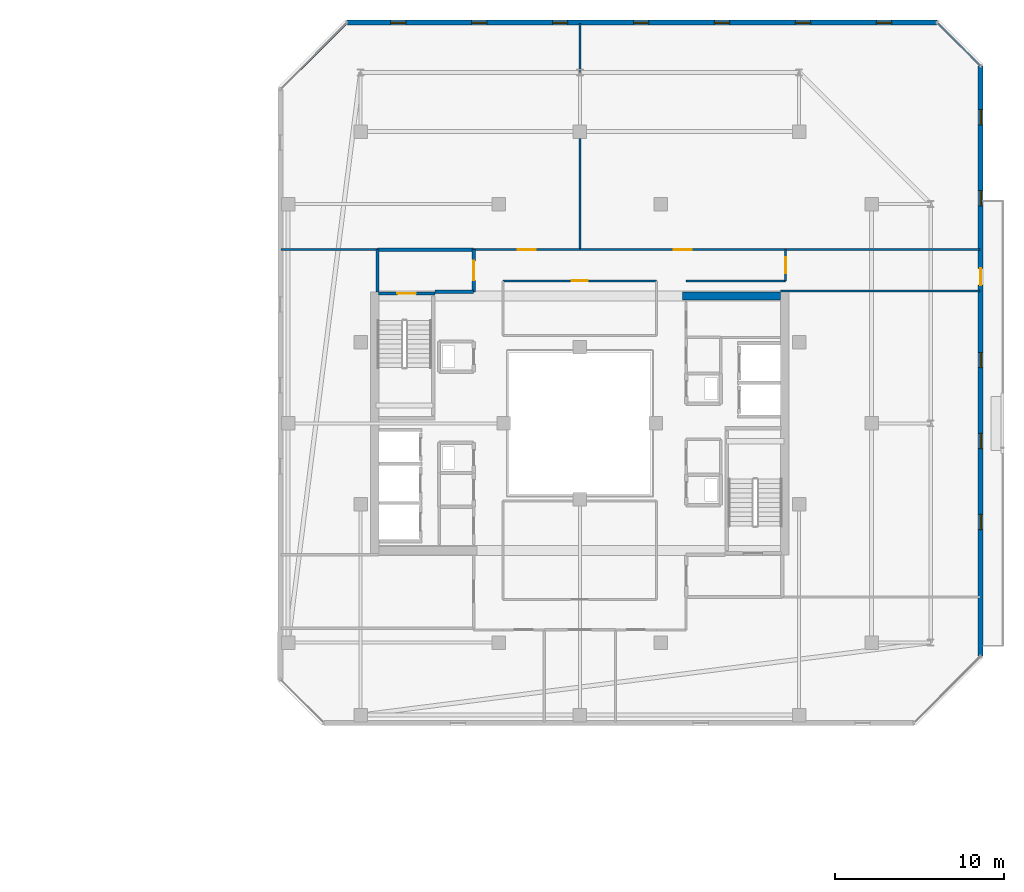
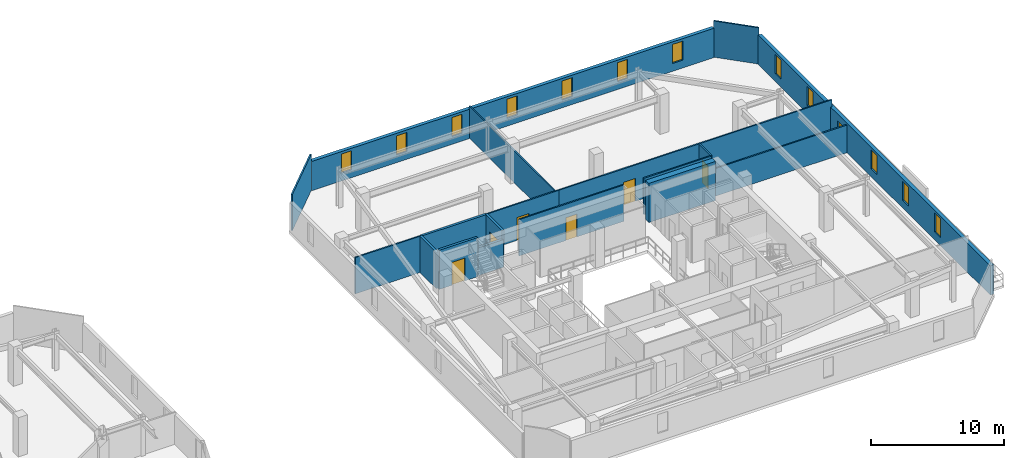
# One storey, part 27 of 34: 19 walls, 12 windows, 7 doors, 19 openings.
"""IFC4 building model written with IfcOpenShell, lengths in metres."""

import ifcopenshell
import ifcopenshell.guid

model = None  # the IFC model being written
_history = None  # IfcOwnerHistory: only IFC2X3 demands one
_inside = {}  # id of a spatial element -> (the spatial element, [elements in it])
_under = {}  # id of a project, library or spatial element -> (it, [spatial elements below it])
_declared = {}  # id of a project -> (the project, [libraries it declares])
_typed = {}  # id of a type object -> (the type object, [elements of that type])
_made_of = {}  # id of a material, layer set ... -> (it, [elements and type objects made of it])


def new_model(schema):
    """Start an empty IFC model of exactly this schema.

    Asked for "IFC4X3", IfcOpenShell would pick the latest addendum, in which some entities
    have other attributes; the version numbers below select the first issue.
    IFC2X3 requires an IfcOwnerHistory on every rooted entity: one is made here for all.
    """
    global model, _history
    if schema == "IFC4X3":
        model = ifcopenshell.file(schema_version=(4, 3, 0, 0))
    else:
        model = ifcopenshell.file(schema=schema)
    _inside.clear()
    _under.clear()
    _declared.clear()
    _typed.clear()
    _made_of.clear()
    _history = None
    if model.schema == "IFC2X3":
        org = make("IfcOrganization", Name="unknown")
        user = make(
            "IfcPersonAndOrganization",
            ThePerson=make("IfcPerson", FamilyName="unknown"),
            TheOrganization=org,
        )
        app = make(
            "IfcApplication",
            ApplicationDeveloper=org,
            Version="unknown",
            ApplicationFullName="unknown",
            ApplicationIdentifier="unknown",
        )
        _history = make(
            "IfcOwnerHistory",
            OwningUser=user,
            OwningApplication=app,
            ChangeAction="ADDED",
            CreationDate=0,
        )
    return model


def make(cls, **values):
    """One entity of the class cls with the attributes given. An attribute that is None is left unset."""
    return model.create_entity(
        cls, **{name: value for name, value in values.items() if value is not None}
    )


def rooted(cls, **values):
    """An entity with a GlobalId (a new one), such as an element, a storey or a relation."""
    return make(cls, GlobalId=ifcopenshell.guid.new(), OwnerHistory=_history, **values)


def si_unit(unit_type, name, prefix=None):
    """IfcSIUnit, for example si_unit("LENGTHUNIT", "METRE", prefix="MILLI")."""
    return make("IfcSIUnit", UnitType=unit_type, Prefix=prefix, Name=name)


def assignment(units):
    """IfcUnitAssignment: the units of a project."""
    return None if units is None else make("IfcUnitAssignment", Units=units)


def point(xyz):
    """IfcCartesianPoint."""
    return None if xyz is None else make("IfcCartesianPoint", Coordinates=xyz)


def direction(xyz):
    """IfcDirection."""
    return None if xyz is None else make("IfcDirection", DirectionRatios=xyz)


def frame(location, z_axis=None, x_axis=None):
    """IfcAxis2Placement3D, a coordinate frame: its origin and axes. An axis left out is left unset."""
    return make(
        "IfcAxis2Placement3D",
        Location=point(location),
        Axis=direction(z_axis),
        RefDirection=direction(x_axis),
    )


def frame_2d(location, x_axis=None):
    """IfcAxis2Placement2D, a coordinate frame in the plane: its origin and x axis."""
    return make(
        "IfcAxis2Placement2D", Location=point(location), RefDirection=direction(x_axis)
    )


def origin():
    """The frame at (0, 0, 0) with its axes left unset."""
    return frame((0.0, 0.0, 0.0))


def place(relative_to, where):
    """IfcLocalPlacement: puts the frame where relative to a parent placement (None: the world)."""
    return make(
        "IfcLocalPlacement", PlacementRelTo=relative_to, RelativePlacement=where
    )


def context(
    kind, dimensions, precision=None, world=None, true_north=None, identifier=None
):
    """IfcGeometricRepresentationContext, for example the 3D "Model" context."""
    return make(
        "IfcGeometricRepresentationContext",
        ContextIdentifier=identifier,
        ContextType=kind,
        CoordinateSpaceDimension=dimensions,
        Precision=precision,
        WorldCoordinateSystem=world,
        TrueNorth=true_north,
    )


def subcontext(parent, identifier, kind, view, scale=None):
    """IfcGeometricRepresentationSubContext, for example "Body" below "Model"."""
    return make(
        "IfcGeometricRepresentationSubContext",
        ContextIdentifier=identifier,
        ContextType=kind,
        ParentContext=parent,
        TargetScale=scale,
        TargetView=view,
    )


def project(units=None, contexts=None):
    """IfcProject with its units and contexts."""
    return rooted(
        "IfcProject",
        Name="project",
        RepresentationContexts=contexts,
        UnitsInContext=assignment(units),
    )


def spatial(cls, under=None, at=None, **own):
    """A site, building, storey or space (cls), placed at a placement, below another one or the project."""
    s = rooted(cls, ObjectPlacement=at, **own)
    if under is not None:
        _under.setdefault(under.id(), (under, []))[1].append(s)
    return s


def profile(cls, at=None, kind="AREA", **sizes):
    """A parametric profile (cls). Its sizes go by their IFC names, for example OverallWidth=200.0."""
    return make(cls, ProfileType=kind, Position=at, **sizes)


def rectangle(**sizes):
    """IfcRectangleProfileDef."""
    return profile("IfcRectangleProfileDef", **sizes)


def extrude(swept, where, along, depth):
    """IfcExtrudedAreaSolid: the profile swept, set in the frame where, extruded along a direction by depth."""
    return make(
        "IfcExtrudedAreaSolid",
        SweptArea=swept,
        Position=where,
        ExtrudedDirection=direction(along),
        Depth=depth,
    )


def shape(context_of_items, identifier, shape_type, items):
    """IfcShapeRepresentation: the items that make up one representation, for example the "Body"."""
    return make(
        "IfcShapeRepresentation",
        ContextOfItems=context_of_items,
        RepresentationIdentifier=identifier,
        RepresentationType=shape_type,
        Items=items,
    )


def material(Name=None, Category=None):
    """IfcMaterial."""
    return make("IfcMaterial", Name=Name, Category=Category)


def layer(
    of_material, thickness, ventilated=None, Name=None, Category=None, Priority=None
):
    """IfcMaterialLayer: one layer of a wall or slab, of a material (None: an air gap)."""
    return make(
        "IfcMaterialLayer",
        Material=of_material,
        LayerThickness=thickness,
        IsVentilated=ventilated,
        Name=Name,
        Category=Category,
        Priority=Priority,
    )


def layer_set(layers, Name=None):
    """IfcMaterialLayerSet."""
    return make("IfcMaterialLayerSet", MaterialLayers=layers, LayerSetName=Name)


def made_of(thing, what):
    """Note that an element or type object is made of a material, layer set ...; save() writes the relation."""
    if what is not None:
        _made_of.setdefault(what.id(), (what, []))[1].append(thing)
    return thing


def type_object(cls, material=None, **own):
    """A type object (cls), such as IfcWallType, which elements share."""
    return made_of(rooted(cls, **own), material)


def element(
    cls,
    number,
    at=None,
    inside=None,
    cuts=None,
    type_object=None,
    material=None,
    context=None,
    identifier="Body",
    shape_type=None,
    held_by="IfcProductDefinitionShape",
    body=None,
    shapes=None,
    **own,
):
    """One element of the class cls, such as IfcWall. Its Tag is "e" and its number.

    at: its placement. inside: the storey or other place that contains it. cuts: it is an
    opening in that element (IfcRelVoidsElement). A single representation is given by context,
    identifier, shape_type and body (its items); several are given by shapes. held_by: the class
    of the entity that holds the representations. save() writes the other relations.
    """
    e = rooted(cls, Tag="e%d" % number, ObjectPlacement=at, **own)
    if body is not None:
        shapes = [shape(context, identifier, shape_type, body)]
    if shapes is not None:
        e.Representation = make(held_by, Representations=shapes)
    if inside is not None:
        _inside.setdefault(inside.id(), (inside, []))[1].append(e)
    if cuts is not None:
        rooted(
            "IfcRelVoidsElement", RelatingBuildingElement=cuts, RelatedOpeningElement=e
        )
    if type_object is not None:
        _typed.setdefault(type_object.id(), (type_object, []))[1].append(e)
    return made_of(e, material)


def fill(opening, filler):
    """IfcRelFillsElement: the door or window that sits in an opening."""
    return rooted(
        "IfcRelFillsElement",
        RelatingOpeningElement=opening,
        RelatedBuildingElement=filler,
    )


def aggregate(whole, parts):
    """IfcRelAggregates: a whole, such as a stair, and the parts it consists of."""
    return rooted("IfcRelAggregates", RelatingObject=whole, RelatedObjects=parts)


def save(model, path):
    """Write the relations noted so far, then the file.

    IfcRelAggregates (storeys below a building ...), IfcRelContainedInSpatialStructure (elements
    in a storey), IfcRelDefinesByType, IfcRelAssociatesMaterial and IfcRelDeclares: one each for
    every whole, place, type object, material and project.
    """
    for whole, parts in _under.values():
        aggregate(whole, parts)
    for where, things in _inside.values():
        rooted(
            "IfcRelContainedInSpatialStructure",
            RelatedElements=things,
            RelatingStructure=where,
        )
    for kind, things in _typed.values():
        rooted("IfcRelDefinesByType", RelatedObjects=things, RelatingType=kind)
    for what, things in _made_of.values():
        rooted("IfcRelAssociatesMaterial", RelatedObjects=things, RelatingMaterial=what)
    for by, libraries in _declared.values():
        rooted("IfcRelDeclares", RelatingContext=by, RelatedDefinitions=libraries)
    model.write(path)


model = new_model("IFC4")

# Units and contexts
model_context = context("Model", 3, precision=1e-05, world=origin(), true_north=direction((0.0, 1.0)))
body_context = subcontext(model_context, "Body", "Model", "MODEL_VIEW")
ifc_project = project(units=[si_unit("LENGTHUNIT", "METRE"), si_unit("AREAUNIT", "SQUARE_METRE"), si_unit("VOLUMEUNIT", "CUBIC_METRE"), si_unit("PLANEANGLEUNIT", "RADIAN"), si_unit("MASSUNIT", "GRAM", prefix="KILO")], contexts=[model_context])

# Site, building, storey
site_placement = place(None, origin())
site = spatial("IfcSite", under=ifc_project, at=site_placement, CompositionType="ELEMENT")
building_placement = place(site_placement, origin())
building = spatial("IfcBuilding", under=site, at=building_placement, Name="Thornwick Lancets Civic Towers", CompositionType="ELEMENT")
storey_placement = place(building_placement, frame((0.0, 0.0, 258.300048828125)))
storey = spatial("IfcBuildingStorey", under=building, at=storey_placement, Name="L69", CompositionType="ELEMENT", Elevation=258.300048828125)

# Wall
ifc_material_1 = material(Name="Concrete blockwork C40/50", Category="masonry")
ifc_layer_1 = layer(ifc_material_1, 0.199951171875, Name="Concrete blockwork C40/50")
ifc_layer_set_1 = layer_set([ifc_layer_1], Name="Concrete blockwork C40/50")
wall_type_1 = type_object("IfcWallType", Name="WALL_COMP_200", PredefinedType="STANDARD", material=ifc_layer_set_1)
wall_1_placement = place(storey_placement, frame((79.89990234375, 34.800048828125, 0.0), z_axis=(0.0, 0.0, 1.0), x_axis=(1.0, 0.0, 0.0)))
element("IfcWall", 1, at=wall_1_placement, inside=storey, type_object=wall_type_1, Name="L69 Partition L69-B-FFLOB2 E1", PredefinedType="STANDARD", context=body_context, shape_type="SweptSolid", body=[
    extrude(rectangle(XDim=2.300048828125, YDim=0.199951171875, at=frame_2d((1.14990234375, 0.0))), origin(), (0.0, 0.0, 1.0), 2.544921875),
])

# Wall, opening, door
wall_2_placement = place(storey_placement, frame((82.199951171875, 34.800048828125, 0.0), z_axis=(0.0, 0.0, 1.0), x_axis=(0.0, 1.0, 0.0)))
wall_2 = element("IfcWall", 2, at=wall_2_placement, inside=storey, type_object=wall_type_1, Name="L69 Partition L69-B-FFLOB2 E2", PredefinedType="STANDARD", context=body_context, shape_type="SweptSolid", body=[
    extrude(rectangle(XDim=2.5, YDim=0.199951171875, at=frame_2d((1.25, 0.0))), origin(), (0.0, 0.0, 1.0), 3.33984375),
])
opening_1_placement = place(wall_2_placement, frame((0.675048828125, 0.0, 0.0)))
opening_1 = element("IfcOpeningElement", 3, at=opening_1_placement, cuts=wall_2, Name="Opening D-L69-3147", PredefinedType="OPENING", context=body_context, shape_type="SweptSolid", body=[
    extrude(rectangle(XDim=1.14990234375, YDim=2.10009765625, at=frame_2d((0.574951171875, 1.050048828125))), frame((0.0, 0.10986328125, 0.0), z_axis=(0.0, -1.0, 0.0), x_axis=(1.0, 0.0, 0.0)), (0.0, 0.0, 1.0), 0.219970703125),
])
ifc_material_2 = material(Name="Glazed fire-resisting steel", Category="steel")
door_type_1 = type_object("IfcDoorType", Name="DOOR_LOBBY_FD60", OperationType="NOTDEFINED", PredefinedType="DOOR", material=ifc_material_2)
door_1_placement = place(opening_1_placement, origin())
door_1 = element("IfcDoor", 4, at=door_1_placement, inside=storey, type_object=door_type_1, Name="L69 West Firefighting Lobby 2 Door", OperationType="SINGLE_SWING_RIGHT", OverallHeight=2.10009765625, OverallWidth=1.14990234375, PredefinedType="DOOR", context=body_context, shape_type="SweptSolid", body=[
    extrude(rectangle(XDim=1.14990234375, YDim=2.10009765625, at=frame_2d((0.574951171875, 1.050048828125))), frame((0.0, 0.02490234375, 0.0), z_axis=(0.0, -1.0, 0.0), x_axis=(1.0, 0.0, 0.0)), (0.0, 0.0, 1.0), 0.050048828125),
])
fill(opening_1, door_1)

# Walls
wall_3_placement = place(storey_placement, frame((82.199951171875, 37.300048828125, 0.0), z_axis=(0.0, 0.0, 1.0), x_axis=(-1.0, 0.0, 0.0)))
element("IfcWall", 5, at=wall_3_placement, inside=storey, type_object=wall_type_1, Name="L69 Partition L69-B-FFLOB2 E3", PredefinedType="STANDARD", context=body_context, shape_type="SweptSolid", body=[
    extrude(rectangle(XDim=5.699951171875, YDim=0.199951171875, at=frame_2d((2.85009765625, 0.0))), origin(), (0.0, 0.0, 1.0), 3.33984375),
])
wall_4_placement = place(storey_placement, frame((76.5, 37.300048828125, 0.0), z_axis=(0.0, 0.0, 1.0), x_axis=(0.0, -1.0, 0.0)))
element("IfcWall", 6, at=wall_4_placement, inside=storey, type_object=wall_type_1, Name="L69 Partition L69-B-FFLOB2 E4", PredefinedType="STANDARD", context=body_context, shape_type="SweptSolid", body=[
    extrude(rectangle(XDim=2.5, YDim=0.199951171875, at=frame_2d((1.25, 0.0))), origin(), (0.0, 0.0, 1.0), 3.33984375),
])
ifc_material_3 = material(Name="Concrete C50/60", Category="concrete")
ifc_layer_2 = layer(ifc_material_3, 0.5, Name="Concrete C50/60")
ifc_layer_set_2 = layer_set([ifc_layer_2], Name="Concrete C50/60")
wall_type_2 = type_object("IfcWallType", Name="WALL_CORE_500", PredefinedType="SHEAR", material=ifc_layer_set_2)
wall_5_placement = place(storey_placement, frame((94.60009765625, 34.550048828125, 0.0), z_axis=(0.0, 0.0, 1.0), x_axis=(1.0, 0.0, 0.0)))
element("IfcWall", 7, at=wall_5_placement, inside=storey, type_object=wall_type_2, Name="L69 Split Core B1 Shear Wall N", PredefinedType="SHEAR", context=body_context, shape_type="SweptSolid", body=[
    extrude(rectangle(XDim=5.7998046875, YDim=0.5, at=frame_2d((2.89990234375, 0.0))), origin(), (0.0, 0.0, 1.0), 3.599853515625),
])

# Wall, openings, door, windows
ifc_material_4 = material(Name="Insulated russet terracotta rainscreen on concrete C40/50", Category="masonry")
ifc_layer_3 = layer(ifc_material_4, 0.300048828125, Name="Insulated russet terracotta rainscreen on concrete C40/50")
ifc_layer_set_3 = layer_set([ifc_layer_3], Name="Insulated russet terracotta rainscreen on concrete C40/50")
wall_type_3 = type_object("IfcWallType", Name="WALL_EXT_RUSSET_300", PredefinedType="STANDARD", material=ifc_layer_set_3)
wall_6_placement = place(storey_placement, frame((112.260009765625, 13.1982421875, 0.0), z_axis=(0.0, 0.0, 1.0), x_axis=(0.000132597301, 0.999999991209, 0.0)))
wall_6 = element("IfcWall", 8, at=wall_6_placement, inside=storey, type_object=wall_type_3, Name="L69 Tower B Terracotta Facade Wall E2", PredefinedType="STANDARD", context=body_context, shape_type="SweptSolid", body=[
    extrude(rectangle(XDim=34.983154296875, YDim=0.300048828125, at=frame_2d((17.49169921875, 0.0))), origin(), (0.0, 0.0, 1.0), 2.699951171875),
])
opening_2_placement = place(wall_6_placement, frame((21.99169921875, 0.0, 0.0)))
opening_2 = element("IfcOpeningElement", 9, at=opening_2_placement, cuts=wall_6, Name="Opening D-BL-L69-BE", PredefinedType="OPENING", context=body_context, shape_type="SweptSolid", body=[
    extrude(rectangle(XDim=1.0, YDim=2.080078125, at=frame_2d((0.5, 1.0400390625))), frame((0.0, 0.16015625, 0.0), z_axis=(0.0, -1.0, 0.0), x_axis=(1.0, 0.0, 0.0)), (0.0, 0.0, 1.0), 0.320068359375),
])
opening_3_placement = place(wall_6_placement, frame((7.5, 0.0, 0.719970703125)))
opening_3 = element("IfcOpeningElement", 10, at=opening_3_placement, cuts=wall_6, Name="Opening WL-01", PredefinedType="OPENING", context=body_context, shape_type="SweptSolid", body=[
    extrude(rectangle(XDim=0.89990234375, YDim=1.75, at=frame_2d((0.449951171875, 0.875))), frame((0.0, 0.16015625, 0.0), z_axis=(0.0, -1.0, 0.0), x_axis=(1.0, 0.0, 0.0)), (0.0, 0.0, 1.0), 0.320068359375),
])
opening_4_placement = place(wall_6_placement, frame((12.300048828125, 0.0, 0.719970703125)))
opening_4 = element("IfcOpeningElement", 11, at=opening_4_placement, cuts=wall_6, Name="Opening WL-01", PredefinedType="OPENING", context=body_context, shape_type="SweptSolid", body=[
    extrude(rectangle(XDim=0.89990234375, YDim=1.75, at=frame_2d((0.449951171875, 0.875))), frame((0.0, 0.16015625, 0.0), z_axis=(0.0, -1.0, 0.0), x_axis=(1.0, 0.0, 0.0)), (0.0, 0.0, 1.0), 0.320068359375),
])
opening_5_placement = place(wall_6_placement, frame((17.10009765625, 0.0, 0.719970703125)))
opening_5 = element("IfcOpeningElement", 12, at=opening_5_placement, cuts=wall_6, Name="Opening WL-01", PredefinedType="OPENING", context=body_context, shape_type="SweptSolid", body=[
    extrude(rectangle(XDim=0.89990234375, YDim=1.75, at=frame_2d((0.449951171875, 0.875))), frame((0.0, 0.16015625, 0.0), z_axis=(0.0, -1.0, 0.0), x_axis=(1.0, 0.0, 0.0)), (0.0, 0.0, 1.0), 0.320068359375),
])
opening_6_placement = place(wall_6_placement, frame((26.699951171875, 0.0, 0.719970703125)))
opening_6 = element("IfcOpeningElement", 13, at=opening_6_placement, cuts=wall_6, Name="Opening WL-01", PredefinedType="OPENING", context=body_context, shape_type="SweptSolid", body=[
    extrude(rectangle(XDim=0.89990234375, YDim=1.75, at=frame_2d((0.449951171875, 0.875))), frame((0.0, 0.16015625, 0.0), z_axis=(0.0, -1.0, 0.0), x_axis=(1.0, 0.0, 0.0)), (0.0, 0.0, 1.0), 0.320068359375),
])
opening_7_placement = place(wall_6_placement, frame((31.5, 0.0, 0.719970703125)))
opening_7 = element("IfcOpeningElement", 14, at=opening_7_placement, cuts=wall_6, Name="Opening WL-01", PredefinedType="OPENING", context=body_context, shape_type="SweptSolid", body=[
    extrude(rectangle(XDim=0.89990234375, YDim=1.75, at=frame_2d((0.449951171875, 0.875))), frame((0.0, 0.16015625, 0.0), z_axis=(0.0, -1.0, 0.0), x_axis=(1.0, 0.0, 0.0)), (0.0, 0.0, 1.0), 0.320068359375),
])
ifc_material_5 = material(Name="Thermally broken glazed loggia doorset")
door_type_2 = type_object("IfcDoorType", Name="DOOR_BALC_1000", OperationType="NOTDEFINED", PredefinedType="DOOR", material=ifc_material_5)
door_2_placement = place(opening_2_placement, origin())
door_2 = element("IfcDoor", 15, at=door_2_placement, inside=storey, type_object=door_type_2, Name="L69 Tower B Loggia Balcony Door E", OperationType="SINGLE_SWING_RIGHT", OverallHeight=2.080078125, OverallWidth=1.0, PredefinedType="DOOR", context=body_context, shape_type="SweptSolid", body=[
    extrude(rectangle(XDim=1.0, YDim=2.080078125, at=frame_2d((0.5, 1.0400390625))), frame((0.0, 0.02490234375, 0.0), z_axis=(0.0, -1.0, 0.0), x_axis=(1.0, 0.0, 0.0)), (0.0, 0.0, 1.0), 0.050048828125),
])
fill(opening_2, door_2)
ifc_material_6 = material(Name="Clear low-e double glazing in bronze frame", Category="glass")
window_type = type_object("IfcWindowType", Name="WIN_LANCET_900", PartitioningType="SINGLE_PANEL", PredefinedType="WINDOW", material=ifc_material_6)
window_1_placement = place(opening_3_placement, origin())
window_1 = element("IfcWindow", 16, at=window_1_placement, inside=storey, type_object=window_type, Name="L69 Tower B Staggered Lancet Window E2-1", OverallHeight=1.75, OverallWidth=0.89990234375, PartitioningType="SINGLE_PANEL", PredefinedType="WINDOW", context=body_context, shape_type="SweptSolid", body=[
    extrude(rectangle(XDim=0.89990234375, YDim=1.75, at=frame_2d((0.449951171875, 0.875))), frame((0.0, 0.030029296875, 0.0), z_axis=(0.0, -1.0, 0.0), x_axis=(1.0, 0.0, 0.0)), (0.0, 0.0, 1.0), 0.06005859375),
])
fill(opening_3, window_1)
window_2_placement = place(opening_4_placement, origin())
window_2 = element("IfcWindow", 17, at=window_2_placement, inside=storey, type_object=window_type, Name="L69 Tower B Staggered Lancet Window E2-2", OverallHeight=1.75, OverallWidth=0.89990234375, PartitioningType="SINGLE_PANEL", PredefinedType="WINDOW", context=body_context, shape_type="SweptSolid", body=[
    extrude(rectangle(XDim=0.89990234375, YDim=1.75, at=frame_2d((0.449951171875, 0.875))), frame((0.0, 0.030029296875, 0.0), z_axis=(0.0, -1.0, 0.0), x_axis=(1.0, 0.0, 0.0)), (0.0, 0.0, 1.0), 0.06005859375),
])
fill(opening_4, window_2)
window_3_placement = place(opening_5_placement, origin())
window_3 = element("IfcWindow", 18, at=window_3_placement, inside=storey, type_object=window_type, Name="L69 Tower B Staggered Lancet Window E2-3", OverallHeight=1.75, OverallWidth=0.89990234375, PartitioningType="SINGLE_PANEL", PredefinedType="WINDOW", context=body_context, shape_type="SweptSolid", body=[
    extrude(rectangle(XDim=0.89990234375, YDim=1.75, at=frame_2d((0.449951171875, 0.875))), frame((0.0, 0.030029296875, 0.0), z_axis=(0.0, -1.0, 0.0), x_axis=(1.0, 0.0, 0.0)), (0.0, 0.0, 1.0), 0.06005859375),
])
fill(opening_5, window_3)
window_4_placement = place(opening_6_placement, origin())
window_4 = element("IfcWindow", 19, at=window_4_placement, inside=storey, type_object=window_type, Name="L69 Tower B Staggered Lancet Window E2-4", OverallHeight=1.75, OverallWidth=0.89990234375, PartitioningType="SINGLE_PANEL", PredefinedType="WINDOW", context=body_context, shape_type="SweptSolid", body=[
    extrude(rectangle(XDim=0.89990234375, YDim=1.75, at=frame_2d((0.449951171875, 0.875))), frame((0.0, 0.030029296875, 0.0), z_axis=(0.0, -1.0, 0.0), x_axis=(1.0, 0.0, 0.0)), (0.0, 0.0, 1.0), 0.06005859375),
])
fill(opening_6, window_4)
window_5_placement = place(opening_7_placement, origin())
window_5 = element("IfcWindow", 20, at=window_5_placement, inside=storey, type_object=window_type, Name="L69 Tower B Staggered Lancet Window E2-5", OverallHeight=1.75, OverallWidth=0.89990234375, PartitioningType="SINGLE_PANEL", PredefinedType="WINDOW", context=body_context, shape_type="SweptSolid", body=[
    extrude(rectangle(XDim=0.89990234375, YDim=1.75, at=frame_2d((0.449951171875, 0.875))), frame((0.0, 0.030029296875, 0.0), z_axis=(0.0, -1.0, 0.0), x_axis=(1.0, 0.0, 0.0)), (0.0, 0.0, 1.0), 0.06005859375),
])
fill(opening_7, window_5)

# Wall, openings, windows
wall_7_placement = place(storey_placement, frame((109.681396484375, 50.7646484375, 0.0), z_axis=(0.0, 0.0, 1.0), x_axis=(-0.999999991209, -0.000132597301, 0.0)))
wall_7 = element("IfcWall", 21, at=wall_7_placement, inside=storey, type_object=wall_type_3, Name="L69 Tower B Terracotta Facade Wall E4", PredefinedType="STANDARD", context=body_context, shape_type="SweptSolid", body=[
    extrude(rectangle(XDim=34.983154296875, YDim=0.300048828125, at=frame_2d((17.49169921875, 0.0))), origin(), (0.0, 0.0, 1.0), 2.699951171875),
])
opening_8_placement = place(wall_7_placement, frame((2.699951171875, 0.0, 0.719970703125)))
opening_8 = element("IfcOpeningElement", 22, at=opening_8_placement, cuts=wall_7, Name="Opening WL-01", PredefinedType="OPENING", context=body_context, shape_type="SweptSolid", body=[
    extrude(rectangle(XDim=0.89990234375, YDim=1.75, at=frame_2d((0.449951171875, 0.875))), frame((0.0, 0.16015625, 0.0), z_axis=(0.0, -1.0, 0.0), x_axis=(1.0, 0.0, 0.0)), (0.0, 0.0, 1.0), 0.320068359375),
])
opening_9_placement = place(wall_7_placement, frame((7.5, 0.0, 0.719970703125)))
opening_9 = element("IfcOpeningElement", 23, at=opening_9_placement, cuts=wall_7, Name="Opening WL-01", PredefinedType="OPENING", context=body_context, shape_type="SweptSolid", body=[
    extrude(rectangle(XDim=0.89990234375, YDim=1.75, at=frame_2d((0.449951171875, 0.875))), frame((0.0, 0.16015625, 0.0), z_axis=(0.0, -1.0, 0.0), x_axis=(1.0, 0.0, 0.0)), (0.0, 0.0, 1.0), 0.320068359375),
])
opening_10_placement = place(wall_7_placement, frame((12.300048828125, 0.0, 0.719970703125)))
opening_10 = element("IfcOpeningElement", 24, at=opening_10_placement, cuts=wall_7, Name="Opening WL-01", PredefinedType="OPENING", context=body_context, shape_type="SweptSolid", body=[
    extrude(rectangle(XDim=0.89990234375, YDim=1.75, at=frame_2d((0.449951171875, 0.875))), frame((0.0, 0.16015625, 0.0), z_axis=(0.0, -1.0, 0.0), x_axis=(1.0, 0.0, 0.0)), (0.0, 0.0, 1.0), 0.320068359375),
])
opening_11_placement = place(wall_7_placement, frame((17.10009765625, 0.0, 0.719970703125)))
opening_11 = element("IfcOpeningElement", 25, at=opening_11_placement, cuts=wall_7, Name="Opening WL-01", PredefinedType="OPENING", context=body_context, shape_type="SweptSolid", body=[
    extrude(rectangle(XDim=0.89990234375, YDim=1.75, at=frame_2d((0.449951171875, 0.875))), frame((0.0, 0.16015625, 0.0), z_axis=(0.0, -1.0, 0.0), x_axis=(1.0, 0.0, 0.0)), (0.0, 0.0, 1.0), 0.320068359375),
])
opening_12_placement = place(wall_7_placement, frame((21.89990234375, 0.0, 0.719970703125)))
opening_12 = element("IfcOpeningElement", 26, at=opening_12_placement, cuts=wall_7, Name="Opening WL-01", PredefinedType="OPENING", context=body_context, shape_type="SweptSolid", body=[
    extrude(rectangle(XDim=0.89990234375, YDim=1.75, at=frame_2d((0.449951171875, 0.875))), frame((0.0, 0.16015625, 0.0), z_axis=(0.0, -1.0, 0.0), x_axis=(1.0, 0.0, 0.0)), (0.0, 0.0, 1.0), 0.320068359375),
])
opening_13_placement = place(wall_7_placement, frame((26.699951171875, 0.0, 0.719970703125)))
opening_13 = element("IfcOpeningElement", 27, at=opening_13_placement, cuts=wall_7, Name="Opening WL-01", PredefinedType="OPENING", context=body_context, shape_type="SweptSolid", body=[
    extrude(rectangle(XDim=0.89990234375, YDim=1.75, at=frame_2d((0.449951171875, 0.875))), frame((0.0, 0.16015625, 0.0), z_axis=(0.0, -1.0, 0.0), x_axis=(1.0, 0.0, 0.0)), (0.0, 0.0, 1.0), 0.320068359375),
])
opening_14_placement = place(wall_7_placement, frame((31.5, 0.0, 0.719970703125)))
opening_14 = element("IfcOpeningElement", 28, at=opening_14_placement, cuts=wall_7, Name="Opening WL-01", PredefinedType="OPENING", context=body_context, shape_type="SweptSolid", body=[
    extrude(rectangle(XDim=0.89990234375, YDim=1.75, at=frame_2d((0.449951171875, 0.875))), frame((0.0, 0.16015625, 0.0), z_axis=(0.0, -1.0, 0.0), x_axis=(1.0, 0.0, 0.0)), (0.0, 0.0, 1.0), 0.320068359375),
])
window_6_placement = place(opening_8_placement, origin())
window_6 = element("IfcWindow", 29, at=window_6_placement, inside=storey, type_object=window_type, Name="L69 Tower B Staggered Lancet Window E4-1", OverallHeight=1.75, OverallWidth=0.89990234375, PartitioningType="SINGLE_PANEL", PredefinedType="WINDOW", context=body_context, shape_type="SweptSolid", body=[
    extrude(rectangle(XDim=0.89990234375, YDim=1.75, at=frame_2d((0.449951171875, 0.875))), frame((0.0, 0.030029296875, 0.0), z_axis=(0.0, -1.0, 0.0), x_axis=(1.0, 0.0, 0.0)), (0.0, 0.0, 1.0), 0.06005859375),
])
fill(opening_8, window_6)
window_7_placement = place(opening_9_placement, origin())
window_7 = element("IfcWindow", 30, at=window_7_placement, inside=storey, type_object=window_type, Name="L69 Tower B Staggered Lancet Window E4-2", OverallHeight=1.75, OverallWidth=0.89990234375, PartitioningType="SINGLE_PANEL", PredefinedType="WINDOW", context=body_context, shape_type="SweptSolid", body=[
    extrude(rectangle(XDim=0.89990234375, YDim=1.75, at=frame_2d((0.449951171875, 0.875))), frame((0.0, 0.030029296875, 0.0), z_axis=(0.0, -1.0, 0.0), x_axis=(1.0, 0.0, 0.0)), (0.0, 0.0, 1.0), 0.06005859375),
])
fill(opening_9, window_7)
window_8_placement = place(opening_10_placement, origin())
window_8 = element("IfcWindow", 31, at=window_8_placement, inside=storey, type_object=window_type, Name="L69 Tower B Staggered Lancet Window E4-3", OverallHeight=1.75, OverallWidth=0.89990234375, PartitioningType="SINGLE_PANEL", PredefinedType="WINDOW", context=body_context, shape_type="SweptSolid", body=[
    extrude(rectangle(XDim=0.89990234375, YDim=1.75, at=frame_2d((0.449951171875, 0.875))), frame((0.0, 0.030029296875, 0.0), z_axis=(0.0, -1.0, 0.0), x_axis=(1.0, 0.0, 0.0)), (0.0, 0.0, 1.0), 0.06005859375),
])
fill(opening_10, window_8)
window_9_placement = place(opening_11_placement, origin())
window_9 = element("IfcWindow", 32, at=window_9_placement, inside=storey, type_object=window_type, Name="L69 Tower B Staggered Lancet Window E4-4", OverallHeight=1.75, OverallWidth=0.89990234375, PartitioningType="SINGLE_PANEL", PredefinedType="WINDOW", context=body_context, shape_type="SweptSolid", body=[
    extrude(rectangle(XDim=0.89990234375, YDim=1.75, at=frame_2d((0.449951171875, 0.875))), frame((0.0, 0.030029296875, 0.0), z_axis=(0.0, -1.0, 0.0), x_axis=(1.0, 0.0, 0.0)), (0.0, 0.0, 1.0), 0.06005859375),
])
fill(opening_11, window_9)
window_10_placement = place(opening_12_placement, origin())
window_10 = element("IfcWindow", 33, at=window_10_placement, inside=storey, type_object=window_type, Name="L69 Tower B Staggered Lancet Window E4-5", OverallHeight=1.75, OverallWidth=0.89990234375, PartitioningType="SINGLE_PANEL", PredefinedType="WINDOW", context=body_context, shape_type="SweptSolid", body=[
    extrude(rectangle(XDim=0.89990234375, YDim=1.75, at=frame_2d((0.449951171875, 0.875))), frame((0.0, 0.030029296875, 0.0), z_axis=(0.0, -1.0, 0.0), x_axis=(1.0, 0.0, 0.0)), (0.0, 0.0, 1.0), 0.06005859375),
])
fill(opening_12, window_10)
window_11_placement = place(opening_13_placement, origin())
window_11 = element("IfcWindow", 34, at=window_11_placement, inside=storey, type_object=window_type, Name="L69 Tower B Staggered Lancet Window E4-6", OverallHeight=1.75, OverallWidth=0.89990234375, PartitioningType="SINGLE_PANEL", PredefinedType="WINDOW", context=body_context, shape_type="SweptSolid", body=[
    extrude(rectangle(XDim=0.89990234375, YDim=1.75, at=frame_2d((0.449951171875, 0.875))), frame((0.0, 0.030029296875, 0.0), z_axis=(0.0, -1.0, 0.0), x_axis=(1.0, 0.0, 0.0)), (0.0, 0.0, 1.0), 0.06005859375),
])
fill(opening_13, window_11)
window_12_placement = place(opening_14_placement, origin())
window_12 = element("IfcWindow", 35, at=window_12_placement, inside=storey, type_object=window_type, Name="L69 Tower B Staggered Lancet Window E4-7", OverallHeight=1.75, OverallWidth=0.89990234375, PartitioningType="SINGLE_PANEL", PredefinedType="WINDOW", context=body_context, shape_type="SweptSolid", body=[
    extrude(rectangle(XDim=0.89990234375, YDim=1.75, at=frame_2d((0.449951171875, 0.875))), frame((0.0, 0.030029296875, 0.0), z_axis=(0.0, -1.0, 0.0), x_axis=(1.0, 0.0, 0.0)), (0.0, 0.0, 1.0), 0.06005859375),
])
fill(opening_14, window_12)

# Wall
ifc_material_7 = material(Name="Acoustic gypsum board partition")
ifc_layer_4 = layer(ifc_material_7, 0.1201171875, Name="Acoustic gypsum board partition")
ifc_layer_set_4 = layer_set([ifc_layer_4], Name="Acoustic gypsum board partition")
wall_type_4 = type_object("IfcWallType", Name="WALL_PART_120", PredefinedType="PARTITIONING", material=ifc_layer_set_4)
wall_8_placement = place(storey_placement, frame((94.800048828125, 35.449951171875, 0.0), z_axis=(0.0, 0.0, 1.0), x_axis=(1.0, 0.0, 0.0)))
element("IfcWall", 36, at=wall_8_placement, inside=storey, type_object=wall_type_4, Name="L69 Partition L69-B-RECLAIM-L E2", PredefinedType="PARTITIONING", context=body_context, shape_type="SweptSolid", body=[
    extrude(rectangle(XDim=5.89990234375, YDim=0.1201171875, at=frame_2d((2.949951171875, 0.0))), origin(), (0.0, 0.0, 1.0), 3.33984375),
])

# Wall, opening, door
wall_9_placement = place(storey_placement, frame((100.699951171875, 35.449951171875, 0.0), z_axis=(0.0, 0.0, 1.0), x_axis=(0.0, 1.0, 0.0)))
wall_9 = element("IfcWall", 37, at=wall_9_placement, inside=storey, type_object=wall_type_4, Name="L69 Partition L69-B-RECLAIM-L E3", PredefinedType="PARTITIONING", context=body_context, shape_type="SweptSolid", body=[
    extrude(rectangle(XDim=1.85009765625, YDim=0.1201171875, at=frame_2d((0.925048828125, 0.0))), origin(), (0.0, 0.0, 1.0), 3.33984375),
])
opening_15_placement = place(wall_9_placement, frame((0.449951171875, 0.0, 0.0)))
opening_15 = element("IfcOpeningElement", 38, at=opening_15_placement, cuts=wall_9, Name="Opening D-L69-3166", PredefinedType="OPENING", context=body_context, shape_type="SweptSolid", body=[
    extrude(rectangle(XDim=0.949951171875, YDim=2.10009765625, at=frame_2d((0.47509765625, 1.050048828125))), frame((0.0, 0.070068359375, 0.0), z_axis=(0.0, -1.0, 0.0), x_axis=(1.0, 0.0, 0.0)), (0.0, 0.0, 1.0), 0.14013671875),
])
ifc_material_8 = material(Name="European oak acoustic doorset")
door_type_3 = type_object("IfcDoorType", Name="DOOR_OFFICE_950", OperationType="NOTDEFINED", PredefinedType="DOOR", material=ifc_material_8)
door_3_placement = place(opening_15_placement, origin())
door_3 = element("IfcDoor", 39, at=door_3_placement, inside=storey, type_object=door_type_3, Name="L69 Tower B Parliamentary Drafting Library Door", OperationType="SINGLE_SWING_LEFT", OverallHeight=2.10009765625, OverallWidth=0.949951171875, PredefinedType="DOOR", context=body_context, shape_type="SweptSolid", body=[
    extrude(rectangle(XDim=0.949951171875, YDim=2.10009765625, at=frame_2d((0.47509765625, 1.050048828125))), frame((0.0, 0.02490234375, 0.0), z_axis=(0.0, -1.0, 0.0), x_axis=(1.0, 0.0, 0.0)), (0.0, 0.0, 1.0), 0.050048828125),
])
fill(opening_15, door_3)

# Walls
wall_10_placement = place(storey_placement, frame((100.699951171875, 37.300048828125, 0.0), z_axis=(0.0, 0.0, 1.0), x_axis=(1.0, 0.0, 0.0)))
element("IfcWall", 40, at=wall_10_placement, inside=storey, type_object=wall_type_4, Name="L69 Partition L69-B-RECLAIM-L E4", PredefinedType="PARTITIONING", context=body_context, shape_type="SweptSolid", body=[
    extrude(rectangle(XDim=11.52001953125, YDim=0.1201171875, at=frame_2d((5.760009765625, 0.0))), origin(), (0.0, 0.0, 1.0), 3.33984375),
])
wall_11_placement = place(storey_placement, frame((112.219970703125, 34.85009765625, 0.0), z_axis=(0.0, 0.0, 1.0), x_axis=(-1.0, 0.0, 0.0)))
element("IfcWall", 41, at=wall_11_placement, inside=storey, type_object=wall_type_4, Name="L69 Partition L69-B-RECLAIM-L E6", PredefinedType="PARTITIONING", context=body_context, shape_type="SweptSolid", body=[
    extrude(rectangle(XDim=11.820068359375, YDim=0.1201171875, at=frame_2d((5.91015625, 0.0))), origin(), (0.0, 0.0, 1.0), 2.544921875),
])

# Wall, opening, door
wall_12_placement = place(storey_placement, frame((100.699951171875, 37.300048828125, 0.0), z_axis=(0.0, 0.0, 1.0), x_axis=(-1.0, 0.0, 0.0)))
wall_12 = element("IfcWall", 42, at=wall_12_placement, inside=storey, type_object=wall_type_4, Name="L69 Partition L69-B-E1 E1", PredefinedType="PARTITIONING", context=body_context, shape_type="SweptSolid", body=[
    extrude(rectangle(XDim=12.199951171875, YDim=0.1201171875, at=frame_2d((6.10009765625, 0.0))), origin(), (0.0, 0.0, 1.0), 3.33984375),
])
opening_16_placement = place(wall_12_placement, frame((5.574951171875, 0.0, 0.0)))
opening_16 = element("IfcOpeningElement", 43, at=opening_16_placement, cuts=wall_12, Name="Opening D-L69-3172", PredefinedType="OPENING", context=body_context, shape_type="SweptSolid", body=[
    extrude(rectangle(XDim=1.050048828125, YDim=2.10009765625, at=frame_2d((0.52490234375, 1.050048828125))), frame((0.0, 0.070068359375, 0.0), z_axis=(0.0, -1.0, 0.0), x_axis=(1.0, 0.0, 0.0)), (0.0, 0.0, 1.0), 0.14013671875),
])
ifc_material_9 = material(Name="Glazed European oak executive doorset")
door_type_4 = type_object("IfcDoorType", Name="DOOR_OFFICE_1050", OperationType="NOTDEFINED", PredefinedType="DOOR", material=ifc_material_9)
door_4_placement = place(opening_16_placement, origin())
door_4 = element("IfcDoor", 44, at=door_4_placement, inside=storey, type_object=door_type_4, Name="L69 Tower B Secretariat Open Office E1 Door", OperationType="SINGLE_SWING_LEFT", OverallHeight=2.10009765625, OverallWidth=1.050048828125, PredefinedType="DOOR", context=body_context, shape_type="SweptSolid", body=[
    extrude(rectangle(XDim=1.050048828125, YDim=2.10009765625, at=frame_2d((0.52490234375, 1.050048828125))), frame((0.0, 0.02490234375, 0.0), z_axis=(0.0, -1.0, 0.0), x_axis=(1.0, 0.0, 0.0)), (0.0, 0.0, 1.0), 0.050048828125),
])
fill(opening_16, door_4)

# Walls
wall_13_placement = place(storey_placement, frame((88.5, 37.300048828125, 0.0), z_axis=(0.0, 0.0, 1.0), x_axis=(0.0, 1.0, 0.0)))
element("IfcWall", 45, at=wall_13_placement, inside=storey, type_object=wall_type_4, Name="L69 Partition L69-B-E1 E2", PredefinedType="PARTITIONING", context=body_context, shape_type="SweptSolid", body=[
    extrude(rectangle(XDim=13.419921875, YDim=0.1201171875, at=frame_2d((6.7099609375, 0.0))), origin(), (0.0, 0.0, 1.0), 2.93212890625),
])
wall_14_placement = place(storey_placement, frame((109.725341796875, 50.719970703125, 0.0), z_axis=(0.0, 0.0, 1.0), x_axis=(0.707106781187, -0.707106781187, 0.0)))
element("IfcWall", 46, at=wall_14_placement, inside=storey, type_object=wall_type_4, Name="L69 Partition L69-B-E1 E4", PredefinedType="PARTITIONING", context=body_context, shape_type="SweptSolid", body=[
    extrude(rectangle(XDim=3.52783203125, YDim=0.1201171875, at=frame_2d((1.763916015625, 0.0))), origin(), (0.0, 0.0, 1.0), 3.33984375),
])
wall_15_placement = place(storey_placement, frame((76.5, 37.300048828125, 0.0), z_axis=(0.0, 0.0, 1.0), x_axis=(-1.0, 0.0, 0.0)))
element("IfcWall", 47, at=wall_15_placement, inside=storey, type_object=wall_type_4, Name="L69 Partition L69-B-E2 E2", PredefinedType="PARTITIONING", context=body_context, shape_type="SweptSolid", body=[
    extrude(rectangle(XDim=5.719970703125, YDim=0.1201171875, at=frame_2d((2.85986328125, 0.0))), origin(), (0.0, 0.0, 1.0), 3.33984375),
])
wall_16_placement = place(storey_placement, frame((70.780029296875, 46.84033203125, 0.0), z_axis=(0.0, 0.0, 1.0), x_axis=(0.707106781187, 0.707106781187, 0.0)))
element("IfcWall", 48, at=wall_16_placement, inside=storey, type_object=wall_type_4, Name="L69 Partition L69-B-E2 E4", PredefinedType="PARTITIONING", context=body_context, shape_type="SweptSolid", body=[
    extrude(rectangle(XDim=5.486572265625, YDim=0.1201171875, at=frame_2d((2.7431640625, 0.0))), origin(), (0.0, 0.0, 1.0), 3.33984375),
])

# Wall, opening, door
wall_17_placement = place(storey_placement, frame((88.5, 37.300048828125, 0.0), z_axis=(0.0, 0.0, 1.0), x_axis=(-1.0, 0.0, 0.0)))
wall_17 = element("IfcWall", 49, at=wall_17_placement, inside=storey, type_object=wall_type_4, Name="L69 Partition L69-B-E2 E7", PredefinedType="PARTITIONING", context=body_context, shape_type="SweptSolid", body=[
    extrude(rectangle(XDim=6.300048828125, YDim=0.1201171875, at=frame_2d((3.14990234375, 0.0))), origin(), (0.0, 0.0, 1.0), 3.33984375),
])
opening_17_placement = place(wall_17_placement, frame((2.625, 0.0, 0.0)))
opening_17 = element("IfcOpeningElement", 50, at=opening_17_placement, cuts=wall_17, Name="Opening D-L69-3173", PredefinedType="OPENING", context=body_context, shape_type="SweptSolid", body=[
    extrude(rectangle(XDim=1.050048828125, YDim=2.10009765625, at=frame_2d((0.52490234375, 1.050048828125))), frame((0.0, 0.070068359375, 0.0), z_axis=(0.0, -1.0, 0.0), x_axis=(1.0, 0.0, 0.0)), (0.0, 0.0, 1.0), 0.14013671875),
])
door_5_placement = place(opening_17_placement, origin())
door_5 = element("IfcDoor", 51, at=door_5_placement, inside=storey, type_object=door_type_4, Name="L69 Tower B Visitors Reception and Waiting Door", OperationType="SINGLE_SWING_RIGHT", OverallHeight=2.10009765625, OverallWidth=1.050048828125, PredefinedType="DOOR", context=body_context, shape_type="SweptSolid", body=[
    extrude(rectangle(XDim=1.050048828125, YDim=2.10009765625, at=frame_2d((0.52490234375, 1.050048828125))), frame((0.0, 0.02490234375, 0.0), z_axis=(0.0, -1.0, 0.0), x_axis=(1.0, 0.0, 0.0)), (0.0, 0.0, 1.0), 0.050048828125),
])
fill(opening_17, door_5)

wall_18_placement = place(storey_placement, frame((83.949951171875, 35.449951171875, 0.0), z_axis=(0.0, 0.0, 1.0), x_axis=(1.0, 0.0, 0.0)))
wall_18 = element("IfcWall", 52, at=wall_18_placement, inside=storey, type_object=wall_type_4, Name="L69 Partition L69-B-E-ATRIUM-OFF E2", PredefinedType="PARTITIONING", context=body_context, shape_type="SweptSolid", body=[
    extrude(rectangle(XDim=9.10009765625, YDim=0.1201171875, at=frame_2d((4.550048828125, 0.0))), origin(), (0.0, 0.0, 1.0), 3.33984375),
])
opening_18_placement = place(wall_18_placement, frame((4.074951171875, 0.0, 0.0)))
opening_18 = element("IfcOpeningElement", 53, at=opening_18_placement, cuts=wall_18, Name="Opening D-L69-3174", PredefinedType="OPENING", context=body_context, shape_type="SweptSolid", body=[
    extrude(rectangle(XDim=0.949951171875, YDim=2.10009765625, at=frame_2d((0.47509765625, 1.050048828125))), frame((0.0, 0.070068359375, 0.0), z_axis=(0.0, -1.0, 0.0), x_axis=(1.0, 0.0, 0.0)), (0.0, 0.0, 1.0), 0.14013671875),
])
door_6_placement = place(opening_18_placement, origin())
door_6 = element("IfcDoor", 54, at=door_6_placement, inside=storey, type_object=door_type_3, Name="L69 Tower B Atrium Policy Office Door", OperationType="SINGLE_SWING_LEFT", OverallHeight=2.10009765625, OverallWidth=0.949951171875, PredefinedType="DOOR", context=body_context, shape_type="SweptSolid", body=[
    extrude(rectangle(XDim=0.949951171875, YDim=2.10009765625, at=frame_2d((0.47509765625, 1.050048828125))), frame((0.0, 0.02490234375, 0.0), z_axis=(0.0, -1.0, 0.0), x_axis=(1.0, 0.0, 0.0)), (0.0, 0.0, 1.0), 0.050048828125),
])
fill(opening_18, door_6)

ifc_material_10 = material(Name="Concrete C40/50", Category="concrete")
ifc_layer_5 = layer(ifc_material_10, 0.199951171875, Name="Concrete C40/50")
ifc_layer_set_5 = layer_set([ifc_layer_5], Name="Concrete C40/50")
wall_type_5 = type_object("IfcWallType", Name="WALL_SHAFT_200", PredefinedType="SHEAR", material=ifc_layer_set_5)
wall_19_placement = place(storey_placement, frame((76.550048828125, 34.699951171875, 0.0), z_axis=(0.0, 0.0, 1.0), x_axis=(1.0, 0.0, 0.0)))
wall_19 = element("IfcWall", 55, at=wall_19_placement, inside=storey, type_object=wall_type_5, Name="L69 ST-B2 Fire Stair Core Wall NEAR", PredefinedType="SHEAR", context=body_context, shape_type="SweptSolid", body=[
    extrude(rectangle(XDim=3.349853515625, YDim=0.199951171875, at=frame_2d((1.6748046875, 0.0))), origin(), (0.0, 0.0, 1.0), 3.599853515625),
])
opening_19_placement = place(wall_19_placement, frame((1.125, 0.0, 0.0)))
opening_19 = element("IfcOpeningElement", 56, at=opening_19_placement, cuts=wall_19, Name="Opening D-ST-B2-L69", PredefinedType="OPENING", context=body_context, shape_type="SweptSolid", body=[
    extrude(rectangle(XDim=1.10009765625, YDim=2.10009765625, at=frame_2d((0.550048828125, 1.050048828125))), frame((0.0, 0.10986328125, 0.0), z_axis=(0.0, -1.0, 0.0), x_axis=(1.0, 0.0, 0.0)), (0.0, 0.0, 1.0), 0.219970703125),
])
ifc_material_11 = material(Name="Fire-resisting steel and hardwood", Category="steel")
door_type_5 = type_object("IfcDoorType", Name="DOOR_STAIR_FD60", OperationType="NOTDEFINED", PredefinedType="DOOR", material=ifc_material_11)
door_7_placement = place(opening_19_placement, origin())
door_7 = element("IfcDoor", 57, at=door_7_placement, inside=storey, type_object=door_type_5, Name="L69 ST-B2 Exit Stair Door", OperationType="SINGLE_SWING_LEFT", OverallHeight=2.10009765625, OverallWidth=1.10009765625, PredefinedType="DOOR", context=body_context, shape_type="SweptSolid", body=[
    extrude(rectangle(XDim=1.10009765625, YDim=2.10009765625, at=frame_2d((0.550048828125, 1.050048828125))), frame((0.0, 0.02490234375, 0.0), z_axis=(0.0, -1.0, 0.0), x_axis=(1.0, 0.0, 0.0)), (0.0, 0.0, 1.0), 0.050048828125),
])
fill(opening_19, door_7)

save(model, "model.ifc")
